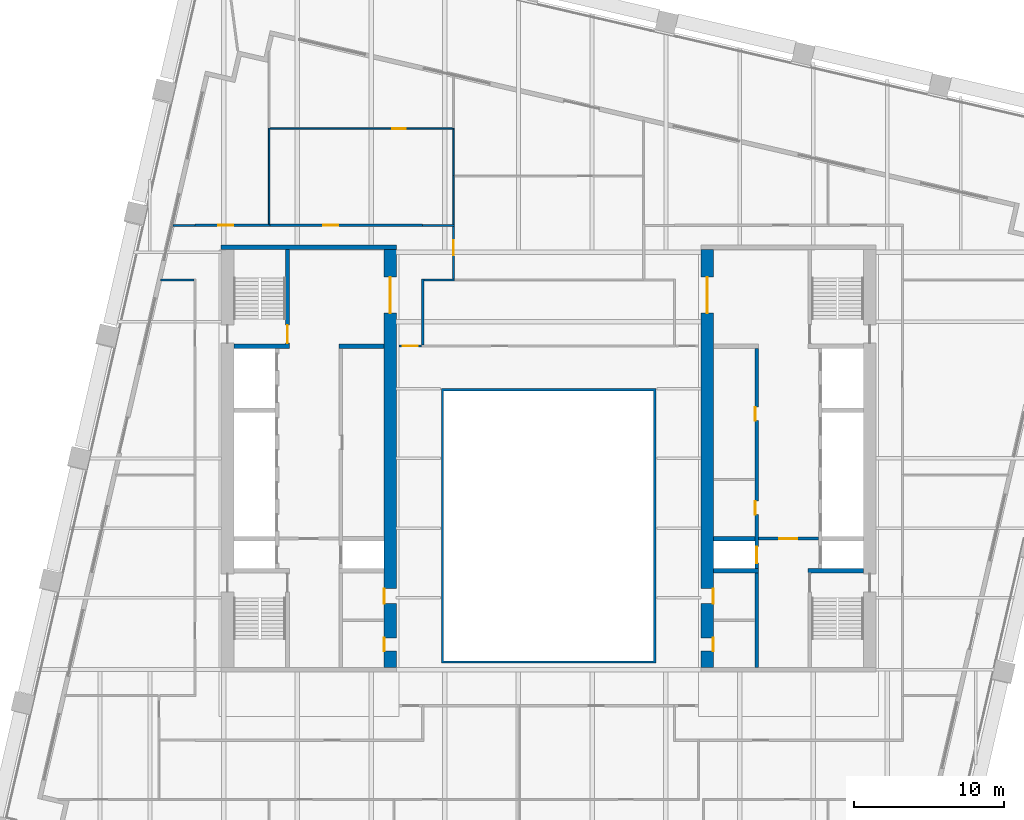
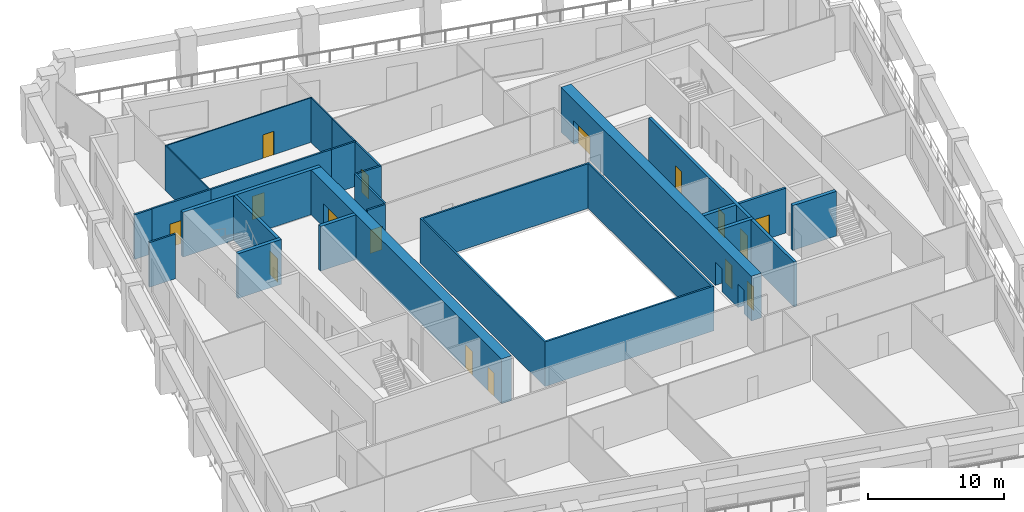
# One storey, part 6 of 10: 25 walls, 16 doors, 16 openings.
"""IFC4 building model written with IfcOpenShell, lengths in metres."""

import ifcopenshell
import ifcopenshell.guid

model = None  # the IFC model being written
_history = None  # IfcOwnerHistory: only IFC2X3 demands one
_inside = {}  # id of a spatial element -> (the spatial element, [elements in it])
_under = {}  # id of a project, library or spatial element -> (it, [spatial elements below it])
_declared = {}  # id of a project -> (the project, [libraries it declares])
_typed = {}  # id of a type object -> (the type object, [elements of that type])
_made_of = {}  # id of a material, layer set ... -> (it, [elements and type objects made of it])


def new_model(schema):
    """Start an empty IFC model of exactly this schema.

    Asked for "IFC4X3", IfcOpenShell would pick the latest addendum, in which some entities
    have other attributes; the version numbers below select the first issue.
    IFC2X3 requires an IfcOwnerHistory on every rooted entity: one is made here for all.
    """
    global model, _history
    if schema == "IFC4X3":
        model = ifcopenshell.file(schema_version=(4, 3, 0, 0))
    else:
        model = ifcopenshell.file(schema=schema)
    _inside.clear()
    _under.clear()
    _declared.clear()
    _typed.clear()
    _made_of.clear()
    _history = None
    if model.schema == "IFC2X3":
        org = make("IfcOrganization", Name="unknown")
        user = make(
            "IfcPersonAndOrganization",
            ThePerson=make("IfcPerson", FamilyName="unknown"),
            TheOrganization=org,
        )
        app = make(
            "IfcApplication",
            ApplicationDeveloper=org,
            Version="unknown",
            ApplicationFullName="unknown",
            ApplicationIdentifier="unknown",
        )
        _history = make(
            "IfcOwnerHistory",
            OwningUser=user,
            OwningApplication=app,
            ChangeAction="ADDED",
            CreationDate=0,
        )
    return model


def make(cls, **values):
    """One entity of the class cls with the attributes given. An attribute that is None is left unset."""
    return model.create_entity(
        cls, **{name: value for name, value in values.items() if value is not None}
    )


def rooted(cls, **values):
    """An entity with a GlobalId (a new one), such as an element, a storey or a relation."""
    return make(cls, GlobalId=ifcopenshell.guid.new(), OwnerHistory=_history, **values)


def si_unit(unit_type, name, prefix=None):
    """IfcSIUnit, for example si_unit("LENGTHUNIT", "METRE", prefix="MILLI")."""
    return make("IfcSIUnit", UnitType=unit_type, Prefix=prefix, Name=name)


def assignment(units):
    """IfcUnitAssignment: the units of a project."""
    return None if units is None else make("IfcUnitAssignment", Units=units)


def point(xyz):
    """IfcCartesianPoint."""
    return None if xyz is None else make("IfcCartesianPoint", Coordinates=xyz)


def direction(xyz):
    """IfcDirection."""
    return None if xyz is None else make("IfcDirection", DirectionRatios=xyz)


def frame(location, z_axis=None, x_axis=None):
    """IfcAxis2Placement3D, a coordinate frame: its origin and axes. An axis left out is left unset."""
    return make(
        "IfcAxis2Placement3D",
        Location=point(location),
        Axis=direction(z_axis),
        RefDirection=direction(x_axis),
    )


def frame_2d(location, x_axis=None):
    """IfcAxis2Placement2D, a coordinate frame in the plane: its origin and x axis."""
    return make(
        "IfcAxis2Placement2D", Location=point(location), RefDirection=direction(x_axis)
    )


def origin():
    """The frame at (0, 0, 0) with its axes left unset."""
    return frame((0.0, 0.0, 0.0))


def place(relative_to, where):
    """IfcLocalPlacement: puts the frame where relative to a parent placement (None: the world)."""
    return make(
        "IfcLocalPlacement", PlacementRelTo=relative_to, RelativePlacement=where
    )


def context(
    kind, dimensions, precision=None, world=None, true_north=None, identifier=None
):
    """IfcGeometricRepresentationContext, for example the 3D "Model" context."""
    return make(
        "IfcGeometricRepresentationContext",
        ContextIdentifier=identifier,
        ContextType=kind,
        CoordinateSpaceDimension=dimensions,
        Precision=precision,
        WorldCoordinateSystem=world,
        TrueNorth=true_north,
    )


def subcontext(parent, identifier, kind, view, scale=None):
    """IfcGeometricRepresentationSubContext, for example "Body" below "Model"."""
    return make(
        "IfcGeometricRepresentationSubContext",
        ContextIdentifier=identifier,
        ContextType=kind,
        ParentContext=parent,
        TargetScale=scale,
        TargetView=view,
    )


def project(units=None, contexts=None):
    """IfcProject with its units and contexts."""
    return rooted(
        "IfcProject",
        Name="project",
        RepresentationContexts=contexts,
        UnitsInContext=assignment(units),
    )


def spatial(cls, under=None, at=None, **own):
    """A site, building, storey or space (cls), placed at a placement, below another one or the project."""
    s = rooted(cls, ObjectPlacement=at, **own)
    if under is not None:
        _under.setdefault(under.id(), (under, []))[1].append(s)
    return s


def polyline(points):
    """IfcPolyline through the points."""
    return make("IfcPolyline", Points=[point(p) for p in points])


def profile(cls, at=None, kind="AREA", **sizes):
    """A parametric profile (cls). Its sizes go by their IFC names, for example OverallWidth=200.0."""
    return make(cls, ProfileType=kind, Position=at, **sizes)


def rectangle(**sizes):
    """IfcRectangleProfileDef."""
    return profile("IfcRectangleProfileDef", **sizes)


def outline(outer, holes=None, kind="AREA"):
    """IfcArbitraryClosedProfileDef: a profile drawn as a closed curve; with holes, ...WithVoids."""
    if holes is None:
        return make("IfcArbitraryClosedProfileDef", ProfileType=kind, OuterCurve=outer)
    return make(
        "IfcArbitraryProfileDefWithVoids",
        ProfileType=kind,
        OuterCurve=outer,
        InnerCurves=holes,
    )


def extrude(swept, where, along, depth):
    """IfcExtrudedAreaSolid: the profile swept, set in the frame where, extruded along a direction by depth."""
    return make(
        "IfcExtrudedAreaSolid",
        SweptArea=swept,
        Position=where,
        ExtrudedDirection=direction(along),
        Depth=depth,
    )


def shape(context_of_items, identifier, shape_type, items):
    """IfcShapeRepresentation: the items that make up one representation, for example the "Body"."""
    return make(
        "IfcShapeRepresentation",
        ContextOfItems=context_of_items,
        RepresentationIdentifier=identifier,
        RepresentationType=shape_type,
        Items=items,
    )


def material(Name=None, Category=None):
    """IfcMaterial."""
    return make("IfcMaterial", Name=Name, Category=Category)


def layer(
    of_material, thickness, ventilated=None, Name=None, Category=None, Priority=None
):
    """IfcMaterialLayer: one layer of a wall or slab, of a material (None: an air gap)."""
    return make(
        "IfcMaterialLayer",
        Material=of_material,
        LayerThickness=thickness,
        IsVentilated=ventilated,
        Name=Name,
        Category=Category,
        Priority=Priority,
    )


def layer_set(layers, Name=None):
    """IfcMaterialLayerSet."""
    return make("IfcMaterialLayerSet", MaterialLayers=layers, LayerSetName=Name)


def made_of(thing, what):
    """Note that an element or type object is made of a material, layer set ...; save() writes the relation."""
    if what is not None:
        _made_of.setdefault(what.id(), (what, []))[1].append(thing)
    return thing


def type_object(cls, material=None, **own):
    """A type object (cls), such as IfcWallType, which elements share."""
    return made_of(rooted(cls, **own), material)


def element(
    cls,
    number,
    at=None,
    inside=None,
    cuts=None,
    type_object=None,
    material=None,
    context=None,
    identifier="Body",
    shape_type=None,
    held_by="IfcProductDefinitionShape",
    body=None,
    shapes=None,
    **own,
):
    """One element of the class cls, such as IfcWall. Its Tag is "e" and its number.

    at: its placement. inside: the storey or other place that contains it. cuts: it is an
    opening in that element (IfcRelVoidsElement). A single representation is given by context,
    identifier, shape_type and body (its items); several are given by shapes. held_by: the class
    of the entity that holds the representations. save() writes the other relations.
    """
    e = rooted(cls, Tag="e%d" % number, ObjectPlacement=at, **own)
    if body is not None:
        shapes = [shape(context, identifier, shape_type, body)]
    if shapes is not None:
        e.Representation = make(held_by, Representations=shapes)
    if inside is not None:
        _inside.setdefault(inside.id(), (inside, []))[1].append(e)
    if cuts is not None:
        rooted(
            "IfcRelVoidsElement", RelatingBuildingElement=cuts, RelatedOpeningElement=e
        )
    if type_object is not None:
        _typed.setdefault(type_object.id(), (type_object, []))[1].append(e)
    return made_of(e, material)


def fill(opening, filler):
    """IfcRelFillsElement: the door or window that sits in an opening."""
    return rooted(
        "IfcRelFillsElement",
        RelatingOpeningElement=opening,
        RelatedBuildingElement=filler,
    )


def aggregate(whole, parts):
    """IfcRelAggregates: a whole, such as a stair, and the parts it consists of."""
    return rooted("IfcRelAggregates", RelatingObject=whole, RelatedObjects=parts)


def save(model, path):
    """Write the relations noted so far, then the file.

    IfcRelAggregates (storeys below a building ...), IfcRelContainedInSpatialStructure (elements
    in a storey), IfcRelDefinesByType, IfcRelAssociatesMaterial and IfcRelDeclares: one each for
    every whole, place, type object, material and project.
    """
    for whole, parts in _under.values():
        aggregate(whole, parts)
    for where, things in _inside.values():
        rooted(
            "IfcRelContainedInSpatialStructure",
            RelatedElements=things,
            RelatingStructure=where,
        )
    for kind, things in _typed.values():
        rooted("IfcRelDefinesByType", RelatedObjects=things, RelatingType=kind)
    for what, things in _made_of.values():
        rooted("IfcRelAssociatesMaterial", RelatedObjects=things, RelatingMaterial=what)
    for by, libraries in _declared.values():
        rooted("IfcRelDeclares", RelatingContext=by, RelatedDefinitions=libraries)
    model.write(path)


model = new_model("IFC4")

# Units and contexts
model_context = context("Model", 3, precision=1e-05, world=origin(), true_north=direction((0.0, 1.0)))
body_context = subcontext(model_context, "Body", "Model", "MODEL_VIEW")
ifc_project = project(units=[si_unit("LENGTHUNIT", "METRE"), si_unit("AREAUNIT", "SQUARE_METRE"), si_unit("VOLUMEUNIT", "CUBIC_METRE"), si_unit("PLANEANGLEUNIT", "RADIAN"), si_unit("MASSUNIT", "GRAM", prefix="KILO")], contexts=[model_context])

# Site, building, storey
site_placement = place(None, origin())
site = spatial("IfcSite", under=ifc_project, at=site_placement, CompositionType="ELEMENT")
building_placement = place(site_placement, origin())
building = spatial("IfcBuilding", under=site, at=building_placement, Name="Ogive Exchange Tower", CompositionType="ELEMENT")
storey_placement = place(building_placement, frame((0.0, 0.0, 143.39990234375)))
storey = spatial("IfcBuildingStorey", under=building, at=storey_placement, Name="L31", CompositionType="ELEMENT", Elevation=143.39990234375)

# Walls
ifc_material_1 = material(Name="Gypsum board partition")
ifc_layer_1 = layer(ifc_material_1, 0.300048828125)
ifc_layer_set_1 = layer_set([ifc_layer_1], Name="Core room partition 300 gypsum")
wall_type_1 = type_object("IfcWallType", Name="Core room partition 300 gypsum", PredefinedType="PARTITIONING", material=ifc_layer_set_1)
wall_1_placement = place(storey_placement, frame((-14.0, 19.0, 0.0), z_axis=(0.0, 0.0, 1.0), x_axis=(1.0, 0.0, 0.0)))
element("IfcWall", 1, at=wall_1_placement, inside=storey, type_object=wall_type_1, Name="W row B room end wall 7", PredefinedType="PARTITIONING", context=body_context, shape_type="SweptSolid", body=[
    extrude(rectangle(XDim=3.0, YDim=0.300048828125, at=frame_2d((1.5, 0.0))), origin(), (0.0, 0.0, 1.0), 4.0),
])
ifc_material_2 = material(Name="Fire partition EI 60 150")
ifc_layer_2 = layer(ifc_material_2, 0.14990234375)
ifc_layer_set_2 = layer_set([ifc_layer_2], Name="Fire partition EI 60 150")
wall_type_2 = type_object("IfcWallType", Name="Fire partition EI 60 150", PredefinedType="PARTITIONING", material=ifc_layer_set_2)
wall_2_placement = place(storey_placement, frame((-25.052001953125, 27.0400390625, 0.0), z_axis=(0.0, 0.0, 1.0), x_axis=(1.0, 0.0, 0.0)))
element("IfcWall", 2, at=wall_2_placement, inside=storey, type_object=wall_type_2, Name="L31-PWL-006", PredefinedType="PARTITIONING", context=body_context, shape_type="SweptSolid", body=[
    extrude(rectangle(XDim=1.451904296875, YDim=0.14990234375, at=frame_2d((0.72607421875, 0.0))), origin(), (0.0, 0.0, 1.0), 4.0),
])
wall_3_placement = place(storey_placement, frame((-23.675048828125, 23.409912109375, 0.0), z_axis=(0.0, 0.0, 1.0), x_axis=(-1.0, 0.0, 0.0)))
element("IfcWall", 3, at=wall_3_placement, inside=storey, type_object=wall_type_2, Name="L31-PWL-011", PredefinedType="PARTITIONING", context=body_context, shape_type="SweptSolid", body=[
    extrude(rectangle(XDim=2.21484375, YDim=0.14990234375, at=frame_2d((1.107421875, 0.0))), origin(), (0.0, 0.0, 1.0), 4.0),
])

# Wall, opening, door
wall_4_placement = place(storey_placement, frame((-23.60009765625, 27.050048828125, 0.0), z_axis=(0.0, 0.0, 1.0), x_axis=(1.0, 0.0, 0.0)))
wall_4 = element("IfcWall", 4, at=wall_4_placement, inside=storey, type_object=wall_type_2, Name="L31-PWL-012", PredefinedType="PARTITIONING", context=body_context, shape_type="SweptSolid", body=[
    extrude(rectangle(XDim=5.0, YDim=0.14990234375, at=frame_2d((2.5, 0.0))), origin(), (0.0, 0.0, 1.0), 4.0),
])
opening_1_placement = place(wall_4_placement, frame((1.550048828125, 0.0, 0.0)))
opening_1 = element("IfcOpeningElement", 5, at=opening_1_placement, cuts=wall_4, Name="Opening L31-I10", PredefinedType="OPENING", context=body_context, shape_type="SweptSolid", body=[
    extrude(rectangle(XDim=1.0, YDim=2.10009765625, at=frame_2d((0.5, 1.050048828125))), frame((0.0, 0.0849609375, 0.0), z_axis=(0.0, -1.0, 0.0), x_axis=(1.0, 0.0, 0.0)), (0.0, 0.0, 1.0), 0.169921875),
])
ifc_material_3 = material(Name="Fire door FD 30S 1000 x 2100")
door_type_1 = type_object("IfcDoorType", Name="Fire door FD 30S 1000 x 2100", OperationType="NOTDEFINED", PredefinedType="DOOR", material=ifc_material_3)
door_1_placement = place(opening_1_placement, origin())
door_1 = element("IfcDoor", 6, at=door_1_placement, inside=storey, type_object=door_type_1, Name="L31-IDR-010", ObjectType="DT3", OperationType="SINGLE_SWING_LEFT", OverallHeight=2.10009765625, OverallWidth=1.0, PredefinedType="DOOR", context=body_context, shape_type="SweptSolid", body=[
    extrude(rectangle(XDim=1.0, YDim=2.10009765625, at=frame_2d((0.5, 1.050048828125))), frame((0.0, 0.02490234375, 0.0), z_axis=(0.0, -1.0, 0.0), x_axis=(1.0, 0.0, 0.0)), (0.0, 0.0, 1.0), 0.050048828125),
])
fill(opening_1, door_1)

wall_5_placement = place(storey_placement, frame((-18.64990234375, 27.050048828125, 0.0), z_axis=(0.0, 0.0, 1.0), x_axis=(1.0, 0.0, 0.0)))
wall_5 = element("IfcWall", 7, at=wall_5_placement, inside=storey, type_object=wall_type_2, Name="L31-PWL-016", PredefinedType="PARTITIONING", context=body_context, shape_type="SweptSolid", body=[
    extrude(rectangle(XDim=10.25, YDim=0.14990234375, at=frame_2d((5.125, 0.0))), origin(), (0.0, 0.0, 1.0), 4.0),
])
opening_2_placement = place(wall_5_placement, frame((3.60009765625, 0.0, 0.0)))
opening_2 = element("IfcOpeningElement", 8, at=opening_2_placement, cuts=wall_5, Name="Opening L31-I08", PredefinedType="OPENING", context=body_context, shape_type="SweptSolid", body=[
    extrude(rectangle(XDim=1.0, YDim=2.10009765625, at=frame_2d((0.5, 1.050048828125))), frame((0.0, 0.0849609375, 0.0), z_axis=(0.0, -1.0, 0.0), x_axis=(1.0, 0.0, 0.0)), (0.0, 0.0, 1.0), 0.169921875),
])
door_2_placement = place(opening_2_placement, origin())
door_2 = element("IfcDoor", 9, at=door_2_placement, inside=storey, type_object=door_type_1, Name="L31-IDR-008", ObjectType="DT3", OperationType="SINGLE_SWING_RIGHT", OverallHeight=2.10009765625, OverallWidth=1.0, PredefinedType="DOOR", context=body_context, shape_type="SweptSolid", body=[
    extrude(rectangle(XDim=1.0, YDim=2.10009765625, at=frame_2d((0.5, 1.050048828125))), frame((0.0, 0.02490234375, 0.0), z_axis=(0.0, -1.0, 0.0), x_axis=(1.0, 0.0, 0.0)), (0.0, 0.0, 1.0), 0.050048828125),
])
fill(opening_2, door_2)

# Walls
wall_6_placement = place(storey_placement, frame((-8.39990234375, 23.485107421875, 0.0), z_axis=(0.0, 0.0, 1.0), x_axis=(0.0, -1.0, 0.0)))
element("IfcWall", 10, at=wall_6_placement, inside=storey, type_object=wall_type_2, Name="L31-PWL-024", PredefinedType="PARTITIONING", context=body_context, shape_type="SweptSolid", body=[
    extrude(rectangle(XDim=4.41015625, YDim=0.14990234375, at=frame_2d((2.205078125, 0.0))), origin(), (0.0, 0.0, 1.0), 4.0),
])
wall_7_placement = place(storey_placement, frame((-8.39990234375, 27.0400390625, 0.0), z_axis=(0.0, 0.0, 1.0), x_axis=(1.0, 0.0, 0.0)))
element("IfcWall", 11, at=wall_7_placement, inside=storey, type_object=wall_type_2, Name="L31-PWL-025", PredefinedType="PARTITIONING", context=body_context, shape_type="SweptSolid", body=[
    extrude(rectangle(XDim=2.135009765625, YDim=0.14990234375, at=frame_2d((1.0673828125, 0.0))), origin(), (0.0, 0.0, 1.0), 4.0),
])
wall_8_placement = place(storey_placement, frame((-6.264892578125, 23.409912109375, 0.0), z_axis=(0.0, 0.0, 1.0), x_axis=(-1.0, 0.0, 0.0)))
element("IfcWall", 12, at=wall_8_placement, inside=storey, type_object=wall_type_2, Name="L31-PWL-026", PredefinedType="PARTITIONING", context=body_context, shape_type="SweptSolid", body=[
    extrude(rectangle(XDim=2.06005859375, YDim=0.14990234375, at=frame_2d((1.030029296875, 0.0))), origin(), (0.0, 0.0, 1.0), 4.0),
])

# Wall, opening, door
wall_9_placement = place(storey_placement, frame((-6.340087890625, 26.965087890625, 0.0), z_axis=(0.0, 0.0, 1.0), x_axis=(0.0, -1.0, 0.0)))
wall_9 = element("IfcWall", 13, at=wall_9_placement, inside=storey, type_object=wall_type_2, Name="L31-PWL-028", PredefinedType="PARTITIONING", context=body_context, shape_type="SweptSolid", body=[
    extrude(rectangle(XDim=3.47998046875, YDim=0.14990234375, at=frame_2d((1.739990234375, 0.0))), origin(), (0.0, 0.0, 1.0), 4.0),
])
opening_3_placement = place(wall_9_placement, frame((0.905029296875, 0.0, 0.0)))
opening_3 = element("IfcOpeningElement", 14, at=opening_3_placement, cuts=wall_9, Name="Opening L31-I06", PredefinedType="OPENING", context=body_context, shape_type="SweptSolid", body=[
    extrude(rectangle(XDim=1.0, YDim=2.10009765625, at=frame_2d((0.5, 1.050048828125))), frame((0.0, 0.0849609375, 0.0), z_axis=(0.0, -1.0, 0.0), x_axis=(1.0, 0.0, 0.0)), (0.0, 0.0, 1.0), 0.169921875),
])
door_3_placement = place(opening_3_placement, origin())
door_3 = element("IfcDoor", 15, at=door_3_placement, inside=storey, type_object=door_type_1, Name="L31-IDR-006", ObjectType="DT3", OperationType="SINGLE_SWING_LEFT", OverallHeight=2.10009765625, OverallWidth=1.0, PredefinedType="DOOR", context=body_context, shape_type="SweptSolid", body=[
    extrude(rectangle(XDim=1.0, YDim=2.10009765625, at=frame_2d((0.5, 1.050048828125))), frame((0.0, 0.02490234375, 0.0), z_axis=(0.0, -1.0, 0.0), x_axis=(1.0, 0.0, 0.0)), (0.0, 0.0, 1.0), 0.050048828125),
])
fill(opening_3, door_3)

wall_10_placement = place(storey_placement, frame((-10.0, 19.0, 0.0), z_axis=(0.0, 0.0, 1.0), x_axis=(1.0, 0.0, 0.0)))
wall_10 = element("IfcWall", 16, at=wall_10_placement, inside=storey, type_object=wall_type_2, Name="L31-PWL-064", PredefinedType="PARTITIONING", context=body_context, shape_type="SweptSolid", body=[
    extrude(rectangle(XDim=1.514892578125, YDim=0.14990234375, at=frame_2d((0.75732421875, 0.0))), origin(), (0.0, 0.0, 1.0), 4.0),
])
opening_4_placement = place(wall_10_placement, frame((0.258056640625, 0.0, 0.0)))
opening_4 = element("IfcOpeningElement", 17, at=opening_4_placement, cuts=wall_10, Name="Opening L31-I23", PredefinedType="OPENING", context=body_context, shape_type="SweptSolid", body=[
    extrude(rectangle(XDim=1.0, YDim=2.10009765625, at=frame_2d((0.5, 1.050048828125))), frame((0.0, 0.0849609375, 0.0), z_axis=(0.0, -1.0, 0.0), x_axis=(1.0, 0.0, 0.0)), (0.0, 0.0, 1.0), 0.169921875),
])
door_4_placement = place(opening_4_placement, origin())
door_4 = element("IfcDoor", 18, at=door_4_placement, inside=storey, type_object=door_type_1, Name="L31-IDR-023", ObjectType="DT3", OperationType="SINGLE_SWING_LEFT", OverallHeight=2.10009765625, OverallWidth=1.0, PredefinedType="DOOR", context=body_context, shape_type="SweptSolid", body=[
    extrude(rectangle(XDim=1.0, YDim=2.10009765625, at=frame_2d((0.5, 1.050048828125))), frame((0.0, 0.02490234375, 0.0), z_axis=(0.0, -1.0, 0.0), x_axis=(1.0, 0.0, 0.0)), (0.0, 0.0, 1.0), 0.050048828125),
])
fill(opening_4, door_4)

# Walls
ifc_material_4 = material(Name="Fire-resisting glass in steel frame", Category="steel")
ifc_layer_3 = layer(ifc_material_4, 0.14990234375)
ifc_layer_set_3 = layer_set([ifc_layer_3], Name="Fire-rated glazed wall 150")
wall_type_3 = type_object("IfcWallType", Name="Fire-rated glazed wall 150", PredefinedType="STANDARD", material=ifc_layer_set_3)
wall_11_placement = place(storey_placement, origin())
element("IfcWall", 19, at=wall_11_placement, inside=storey, type_object=wall_type_3, Name="Nave enclosure wall", PredefinedType="STANDARD", context=body_context, shape_type="SweptSolid", body=[
    extrude(outline(polyline([(-7.14990234375, -2.14990234375), (7.14990234375, -2.14990234375), (7.14990234375, 16.14990234375), (-7.14990234375, 16.14990234375), (-7.14990234375, -2.14990234375)]), holes=[polyline([(-7.0, -2.0), (-7.0, 16.0), (7.0, 16.0), (7.0, -2.0), (-7.0, -2.0)])]), origin(), (0.0, 0.0, 1.0), 4.0),
])
ifc_material_5 = material(Name="Partition 100 gypsum")
ifc_layer_4 = layer(ifc_material_5, 0.10009765625)
ifc_layer_set_4 = layer_set([ifc_layer_4], Name="Partition 100 gypsum")
wall_type_4 = type_object("IfcWallType", Name="Partition 100 gypsum", PredefinedType="PARTITIONING", material=ifc_layer_set_4)
wall_12_placement = place(storey_placement, frame((-18.64990234375, 27.125, 0.0), z_axis=(0.0, 0.0, 1.0), x_axis=(0.0, 1.0, 0.0)))
element("IfcWall", 20, at=wall_12_placement, inside=storey, type_object=wall_type_4, Name="L31-PWL-015", PredefinedType="PARTITIONING", context=body_context, shape_type="SweptSolid", body=[
    extrude(rectangle(XDim=6.425048828125, YDim=0.10009765625, at=frame_2d((3.21240234375, 0.0))), origin(), (0.0, 0.0, 1.0), 4.0),
])

# Wall, opening, door
wall_13_placement = place(storey_placement, frame((-18.60009765625, 33.5, 0.0), z_axis=(0.0, 0.0, 1.0), x_axis=(1.0, 0.0, 0.0)))
wall_13 = element("IfcWall", 21, at=wall_13_placement, inside=storey, type_object=wall_type_4, Name="L31-PWL-018", PredefinedType="PARTITIONING", context=body_context, shape_type="SweptSolid", body=[
    extrude(rectangle(XDim=12.31005859375, YDim=0.10009765625, at=frame_2d((6.155029296875, 0.0))), origin(), (0.0, 0.0, 1.0), 4.0),
])
opening_5_placement = place(wall_13_placement, frame((8.159912109375, 0.0, 0.0)))
opening_5 = element("IfcOpeningElement", 22, at=opening_5_placement, cuts=wall_13, Name="Opening L31-I09", PredefinedType="OPENING", context=body_context, shape_type="SweptSolid", body=[
    extrude(rectangle(XDim=0.89990234375, YDim=2.10009765625, at=frame_2d((0.449951171875, 1.050048828125))), frame((0.0, 0.06005859375, 0.0), z_axis=(0.0, -1.0, 0.0), x_axis=(1.0, 0.0, 0.0)), (0.0, 0.0, 1.0), 0.1201171875),
])
ifc_material_6 = material(Name="Door 900 x 2100")
door_type_2 = type_object("IfcDoorType", Name="Door 900 x 2100", OperationType="NOTDEFINED", PredefinedType="DOOR", material=ifc_material_6)
door_5_placement = place(opening_5_placement, origin())
door_5 = element("IfcDoor", 23, at=door_5_placement, inside=storey, type_object=door_type_2, Name="L31-IDR-009", ObjectType="DT1", OperationType="SINGLE_SWING_LEFT", OverallHeight=2.10009765625, OverallWidth=0.89990234375, PredefinedType="DOOR", context=body_context, shape_type="SweptSolid", body=[
    extrude(rectangle(XDim=0.89990234375, YDim=2.10009765625, at=frame_2d((0.449951171875, 1.050048828125))), frame((0.0, 0.02490234375, 0.0), z_axis=(0.0, -1.0, 0.0), x_axis=(1.0, 0.0, 0.0)), (0.0, 0.0, 1.0), 0.050048828125),
])
fill(opening_5, door_5)

# Walls
wall_14_placement = place(storey_placement, frame((-6.340087890625, 27.114990234375, 0.0), z_axis=(0.0, 0.0, 1.0), x_axis=(0.0, 1.0, 0.0)))
element("IfcWall", 24, at=wall_14_placement, inside=storey, type_object=wall_type_4, Name="L31-PWL-029", PredefinedType="PARTITIONING", context=body_context, shape_type="SweptSolid", body=[
    extrude(rectangle(XDim=3.27490234375, YDim=0.10009765625, at=frame_2d((1.637451171875, 0.0))), origin(), (0.0, 0.0, 1.0), 4.0),
])
wall_15_placement = place(storey_placement, frame((-6.340087890625, 30.389892578125, 0.0), z_axis=(0.0, 0.0, 1.0), x_axis=(0.0, 1.0, 0.0)))
element("IfcWall", 25, at=wall_15_placement, inside=storey, type_object=wall_type_4, Name="L31-PWL-030", PredefinedType="PARTITIONING", context=body_context, shape_type="SweptSolid", body=[
    extrude(rectangle(XDim=3.06005859375, YDim=0.10009765625, at=frame_2d((1.530029296875, 0.0))), origin(), (0.0, 0.0, 1.0), 4.0),
])

# Wall, opening, door
ifc_material_7 = material(Name="Concrete C70/85", Category="concrete")
ifc_layer_5 = layer(ifc_material_7, 0.199951171875)
ifc_layer_set_5 = layer_set([ifc_layer_5], Name="RC core wall 200 C70/85")
wall_type_5 = type_object("IfcWallType", Name="RC core wall 200 C70/85", PredefinedType="SHEAR", material=ifc_layer_set_5)
wall_16_placement = place(storey_placement, frame((14.0, 6.142822265625, 0.0), z_axis=(0.0, 0.0, 1.0), x_axis=(1.0, 0.0, 0.0)))
wall_16 = element("IfcWall", 26, at=wall_16_placement, inside=storey, type_object=wall_type_5, Name="E firefighting lobby wall", PredefinedType="SHEAR", context=body_context, shape_type="SweptSolid", body=[
    extrude(rectangle(XDim=4.0, YDim=0.199951171875, at=frame_2d((2.0, 0.0))), origin(), (0.0, 0.0, 1.0), 4.0),
])
opening_6_placement = place(wall_16_placement, frame((1.39990234375, 0.0, 0.0)))
opening_6 = element("IfcOpeningElement", 27, at=opening_6_placement, cuts=wall_16, Name="Opening L31-C28", PredefinedType="OPENING", context=body_context, shape_type="SweptSolid", body=[
    extrude(rectangle(XDim=1.199951171875, YDim=2.10009765625, at=frame_2d((0.60009765625, 1.050048828125))), frame((0.0, 0.10986328125, 0.0), z_axis=(0.0, -1.0, 0.0), x_axis=(1.0, 0.0, 0.0)), (0.0, 0.0, 1.0), 0.219970703125),
])
ifc_material_8 = material(Name="Steel fire door", Category="steel")
door_type_3 = type_object("IfcDoorType", Name="Firefighting lobby door FD60 1200 x 2100", OperationType="NOTDEFINED", PredefinedType="DOOR", material=ifc_material_8)
door_6_placement = place(opening_6_placement, frame((1.199951171875, 0.0, 0.0), z_axis=(0.0, 0.0, 1.0), x_axis=(-1.0, 0.0, 0.0)))
door_6 = element("IfcDoor", 28, at=door_6_placement, inside=storey, type_object=door_type_3, Name="Firefighting lobby door", ObjectType="CD3", OperationType="SINGLE_SWING_RIGHT", OverallHeight=2.10009765625, OverallWidth=1.199951171875, PredefinedType="DOOR", context=body_context, shape_type="SweptSolid", body=[
    extrude(rectangle(XDim=1.199951171875, YDim=2.10009765625, at=frame_2d((0.60009765625, 1.050048828125))), frame((0.0, 0.02490234375, 0.0), z_axis=(0.0, -1.0, 0.0), x_axis=(1.0, 0.0, 0.0)), (0.0, 0.0, 1.0), 0.050048828125),
])
fill(opening_6, door_6)

ifc_layer_6 = layer(ifc_material_7, 0.25)
ifc_layer_set_6 = layer_set([ifc_layer_6], Name="RC core wall 250 C70/85")
wall_type_6 = type_object("IfcWallType", Name="RC core wall 250 C70/85", PredefinedType="SHEAR", material=ifc_layer_set_6)
wall_17_placement = place(storey_placement, frame((-17.425048828125, 19.14990234375, 0.0), z_axis=(0.0, 0.0, 1.0), x_axis=(0.0, 1.0, 0.0)))
wall_17 = element("IfcWall", 29, at=wall_17_placement, inside=storey, type_object=wall_type_6, Name="W stair N front wall", PredefinedType="SHEAR", context=body_context, shape_type="SweptSolid", body=[
    extrude(rectangle(XDim=6.300048828125, YDim=0.25, at=frame_2d((3.14990234375, 0.0))), origin(), (0.0, 0.0, 1.0), 4.0),
])
opening_7_placement = place(wall_17_placement, frame((0.050048828125, 0.0, 0.0)))
opening_7 = element("IfcOpeningElement", 30, at=opening_7_placement, cuts=wall_17, Name="Opening L31-C14", PredefinedType="OPENING", context=body_context, shape_type="SweptSolid", body=[
    extrude(rectangle(XDim=1.199951171875, YDim=2.10009765625, at=frame_2d((0.60009765625, 1.050048828125))), frame((0.0, 0.135009765625, 0.0), z_axis=(0.0, -1.0, 0.0), x_axis=(1.0, 0.0, 0.0)), (0.0, 0.0, 1.0), 0.27001953125),
])
door_type_4 = type_object("IfcDoorType", Name="Stair door FD90 1200 x 2100", OperationType="NOTDEFINED", PredefinedType="DOOR", material=ifc_material_8)
door_7_placement = place(opening_7_placement, origin())
door_7 = element("IfcDoor", 31, at=door_7_placement, inside=storey, type_object=door_type_4, Name="Stair door", ObjectType="CD5", OperationType="SINGLE_SWING_RIGHT", OverallHeight=2.10009765625, OverallWidth=1.199951171875, PredefinedType="DOOR", context=body_context, shape_type="SweptSolid", body=[
    extrude(rectangle(XDim=1.199951171875, YDim=2.10009765625, at=frame_2d((0.60009765625, 1.050048828125))), frame((0.0, 0.02490234375, 0.0), z_axis=(0.0, -1.0, 0.0), x_axis=(1.0, 0.0, 0.0)), (0.0, 0.0, 1.0), 0.050048828125),
])
fill(opening_7, door_7)

# Wall, openings, doors
wall_18_placement = place(storey_placement, frame((13.875, -2.449951171875, 0.0), z_axis=(0.0, 0.0, 1.0), x_axis=(0.0, 1.0, 0.0)))
wall_18 = element("IfcWall", 32, at=wall_18_placement, inside=storey, type_object=wall_type_6, Name="E row B front wall", PredefinedType="SHEAR", context=body_context, shape_type="SweptSolid", body=[
    extrude(rectangle(XDim=21.300048828125, YDim=0.25, at=frame_2d((10.64990234375, 0.0))), origin(), (0.0, 0.0, 1.0), 4.0),
])
opening_8_placement = place(wall_18_placement, frame((10.1962890625, 0.0, 0.0)))
opening_8 = element("IfcOpeningElement", 33, at=opening_8_placement, cuts=wall_18, Name="Opening L31-C25", PredefinedType="OPENING", context=body_context, shape_type="SweptSolid", body=[
    extrude(rectangle(XDim=0.89990234375, YDim=2.10009765625, at=frame_2d((0.449951171875, 1.050048828125))), frame((0.0, 0.135009765625, 0.0), z_axis=(0.0, -1.0, 0.0), x_axis=(1.0, 0.0, 0.0)), (0.0, 0.0, 1.0), 0.27001953125),
])
opening_9_placement = place(wall_18_placement, frame((16.47509765625, 0.0, 0.0)))
opening_9 = element("IfcOpeningElement", 34, at=opening_9_placement, cuts=wall_18, Name="Opening L31-C26", PredefinedType="OPENING", context=body_context, shape_type="SweptSolid", body=[
    extrude(rectangle(XDim=0.89990234375, YDim=2.10009765625, at=frame_2d((0.449951171875, 1.050048828125))), frame((0.0, 0.135009765625, 0.0), z_axis=(0.0, -1.0, 0.0), x_axis=(1.0, 0.0, 0.0)), (0.0, 0.0, 1.0), 0.27001953125),
])
opening_10_placement = place(wall_18_placement, frame((6.971435546875, 0.0, 0.0)))
opening_10 = element("IfcOpeningElement", 35, at=opening_10_placement, cuts=wall_18, Name="Opening L31-C27", PredefinedType="OPENING", context=body_context, shape_type="SweptSolid", body=[
    extrude(rectangle(XDim=1.10009765625, YDim=2.10009765625, at=frame_2d((0.550048828125, 1.050048828125))), frame((0.0, 0.135009765625, 0.0), z_axis=(0.0, -1.0, 0.0), x_axis=(1.0, 0.0, 0.0)), (0.0, 0.0, 1.0), 0.27001953125),
])
ifc_material_9 = material(Name="Timber fire door", Category="wood")
door_type_5 = type_object("IfcDoorType", Name="Core room door FD30S 900 x 2100", OperationType="NOTDEFINED", PredefinedType="DOOR", material=ifc_material_9)
door_8_placement = place(opening_9_placement, origin())
door_8 = element("IfcDoor", 36, at=door_8_placement, inside=storey, type_object=door_type_5, Name="Core room door", ObjectType="CD6", OperationType="SINGLE_SWING_RIGHT", OverallHeight=2.10009765625, OverallWidth=0.89990234375, PredefinedType="DOOR", context=body_context, shape_type="SweptSolid", body=[
    extrude(rectangle(XDim=0.89990234375, YDim=2.10009765625, at=frame_2d((0.449951171875, 1.050048828125))), frame((0.0, 0.125, 0.0), z_axis=(0.0, -1.0, 0.0), x_axis=(1.0, 0.0, 0.0)), (0.0, 0.0, 1.0), 0.050048828125),
])
fill(opening_9, door_8)
ifc_material_10 = material(Name="Stainless steel", Category="steel")
door_type_6 = type_object("IfcDoorType", Name="Lift landing door FD90 1100 x 2100", OperationType="SLIDING_TO_LEFT", PredefinedType="DOOR", material=ifc_material_10)
door_9_placement = place(opening_10_placement, origin())
door_9 = element("IfcDoor", 37, at=door_9_placement, inside=storey, type_object=door_type_6, Name="Lift landing door SV2", ObjectType="LD", OperationType="SLIDING_TO_LEFT", OverallHeight=2.10009765625, OverallWidth=1.10009765625, PredefinedType="DOOR", context=body_context, shape_type="SweptSolid", body=[
    extrude(rectangle(XDim=1.10009765625, YDim=2.10009765625, at=frame_2d((0.550048828125, 1.050048828125))), frame((0.0, 0.02490234375, 0.0), z_axis=(0.0, -1.0, 0.0), x_axis=(1.0, 0.0, 0.0)), (0.0, 0.0, 1.0), 0.050048828125),
])
fill(opening_10, door_9)
door_type_7 = type_object("IfcDoorType", Name="Riser door FD60 900 x 2100", OperationType="NOTDEFINED", PredefinedType="DOOR", material=ifc_material_8)
door_10_placement = place(opening_8_placement, origin())
door_10 = element("IfcDoor", 38, at=door_10_placement, inside=storey, type_object=door_type_7, Name="Riser door", ObjectType="CD2", OperationType="SINGLE_SWING_RIGHT", OverallHeight=2.10009765625, OverallWidth=0.89990234375, PredefinedType="DOOR", context=body_context, shape_type="SweptSolid", body=[
    extrude(rectangle(XDim=0.89990234375, YDim=2.10009765625, at=frame_2d((0.449951171875, 1.050048828125))), frame((0.0, 0.125, 0.0), z_axis=(0.0, -1.0, 0.0), x_axis=(1.0, 0.0, 0.0)), (0.0, 0.0, 1.0), 0.050048828125),
])
fill(opening_8, door_10)

# Walls
ifc_layer_7 = layer(ifc_material_7, 0.300048828125)
ifc_layer_set_7 = layer_set([ifc_layer_7], Name="RC core wall 300 C70/85")
wall_type_7 = type_object("IfcWallType", Name="RC core wall 300 C70/85", PredefinedType="SHEAR", material=ifc_layer_set_7)
wall_19_placement = place(storey_placement, frame((-21.85009765625, 25.60009765625, 0.0), z_axis=(0.0, 0.0, 1.0), x_axis=(1.0, 0.0, 0.0)))
element("IfcWall", 39, at=wall_19_placement, inside=storey, type_object=wall_type_7, Name="W north end wall", PredefinedType="SHEAR", context=body_context, shape_type="SweptSolid", body=[
    extrude(rectangle(XDim=11.7001953125, YDim=0.300048828125, at=frame_2d((5.85009765625, 0.0))), origin(), (0.0, 0.0, 1.0), 4.0),
])
for number, where, z_axis, x_axis, name in (
    (40, (-21.0, 19.0, 0.0), (0.0, 0.0, 1.0), (1.0, 0.0, 0.0), "W stair N south wall"),
    (41, (17.300048828125, 4.0, 0.0), (0.0, 0.0, 1.0), (1.0, 0.0, 0.0), "E stair S north wall"),
):
    element("IfcWall", number, at=place(storey_placement, frame(where, z_axis=z_axis, x_axis=x_axis)), inside=storey, type_object=wall_type_7, Name=name, PredefinedType="SHEAR", context=body_context, shape_type="SweptSolid", body=[
        extrude(rectangle(XDim=3.699951171875, YDim=0.300048828125, at=frame_2d((1.85009765625, 0.0))), origin(), (0.0, 0.0, 1.0), 4.0),
    ])
wall_20_placement = place(storey_placement, frame((11.0, 4.0, 0.0), z_axis=(0.0, 0.0, 1.0), x_axis=(1.0, 0.0, 0.0)))
element("IfcWall", 42, at=wall_20_placement, inside=storey, type_object=wall_type_7, Name="E row B divider 0", PredefinedType="SHEAR", context=body_context, shape_type="SweptSolid", body=[
    extrude(rectangle(XDim=3.0, YDim=0.300048828125, at=frame_2d((1.5, 0.0))), origin(), (0.0, 0.0, 1.0), 4.0),
])
wall_21_placement = place(storey_placement, frame((11.0, 6.142822265625, 0.0), z_axis=(0.0, 0.0, 1.0), x_axis=(1.0, 0.0, 0.0)))
element("IfcWall", 43, at=wall_21_placement, inside=storey, type_object=wall_type_7, Name="E row B divider 1", PredefinedType="SHEAR", context=body_context, shape_type="SweptSolid", body=[
    extrude(rectangle(XDim=2.75, YDim=0.300048828125, at=frame_2d((1.375, 0.0))), origin(), (0.0, 0.0, 1.0), 4.0),
])

# Wall, openings, doors
ifc_layer_8 = layer(ifc_material_7, 0.85009765625)
ifc_layer_set_8 = layer_set([ifc_layer_8], Name="RC core wall 850 C70/85")
wall_type_8 = type_object("IfcWallType", Name="RC core wall 850 C70/85", PredefinedType="SHEAR", material=ifc_layer_set_8)
wall_22_placement = place(storey_placement, frame((-10.574951171875, -2.449951171875, 0.0), z_axis=(0.0, 0.0, 1.0), x_axis=(0.0, 1.0, 0.0)))
wall_22 = element("IfcWall", 44, at=wall_22_placement, inside=storey, type_object=wall_type_8, Name="W inner wall", PredefinedType="SHEAR", context=body_context, shape_type="SweptSolid", body=[
    extrude(rectangle(XDim=27.89990234375, YDim=0.85009765625, at=frame_2d((13.949951171875, 0.0))), origin(), (0.0, 0.0, 1.0), 4.0),
])
opening_11_placement = place(wall_22_placement, frame((23.64990234375, 0.0, 0.0)))
opening_11 = element("IfcOpeningElement", 45, at=opening_11_placement, cuts=wall_22, Name="Opening L31-C11", PredefinedType="OPENING", context=body_context, shape_type="SweptSolid", body=[
    extrude(rectangle(XDim=2.39990234375, YDim=2.10009765625, at=frame_2d((1.199951171875, 1.050048828125))), frame((0.0, 0.43505859375, 0.0), z_axis=(0.0, -1.0, 0.0), x_axis=(1.0, 0.0, 0.0)), (0.0, 0.0, 1.0), 0.8701171875),
])
opening_12_placement = place(wall_22_placement, frame((1.08740234375, 0.0, 0.0)))
opening_12 = element("IfcOpeningElement", 46, at=opening_12_placement, cuts=wall_22, Name="Opening L31-C16", PredefinedType="OPENING", context=body_context, shape_type="SweptSolid", body=[
    extrude(rectangle(XDim=0.89990234375, YDim=2.10009765625, at=frame_2d((0.449951171875, 1.050048828125))), frame((0.0, 0.43505859375, 0.0), z_axis=(0.0, -1.0, 0.0), x_axis=(1.0, 0.0, 0.0)), (0.0, 0.0, 1.0), 0.8701171875),
])
opening_13_placement = place(wall_22_placement, frame((4.262451171875, 0.0, 0.0)))
opening_13 = element("IfcOpeningElement", 47, at=opening_13_placement, cuts=wall_22, Name="Opening L31-C17", PredefinedType="OPENING", context=body_context, shape_type="SweptSolid", body=[
    extrude(rectangle(XDim=1.0, YDim=2.10009765625, at=frame_2d((0.5, 1.050048828125))), frame((0.0, 0.43505859375, 0.0), z_axis=(0.0, -1.0, 0.0), x_axis=(1.0, 0.0, 0.0)), (0.0, 0.0, 1.0), 0.8701171875),
])
door_type_8 = type_object("IfcDoorType", Name="Accessible WC door FD30S 1000 x 2100", OperationType="NOTDEFINED", PredefinedType="DOOR", material=ifc_material_9)
door_11_placement = place(opening_13_placement, origin())
door_11 = element("IfcDoor", 48, at=door_11_placement, inside=storey, type_object=door_type_8, Name="Accessible WC door", ObjectType="CD7", OperationType="SINGLE_SWING_LEFT", OverallHeight=2.10009765625, OverallWidth=1.0, PredefinedType="DOOR", context=body_context, shape_type="SweptSolid", body=[
    extrude(rectangle(XDim=1.0, YDim=2.10009765625, at=frame_2d((0.5, 1.050048828125))), frame((0.0, 0.4248046875, 0.0), z_axis=(0.0, -1.0, 0.0), x_axis=(1.0, 0.0, 0.0)), (0.0, 0.0, 1.0), 0.050048828125),
])
fill(opening_13, door_11)
door_12_placement = place(opening_12_placement, origin())
door_12 = element("IfcDoor", 49, at=door_12_placement, inside=storey, type_object=door_type_5, Name="Core room door", ObjectType="CD6", OperationType="SINGLE_SWING_LEFT", OverallHeight=2.10009765625, OverallWidth=0.89990234375, PredefinedType="DOOR", context=body_context, shape_type="SweptSolid", body=[
    extrude(rectangle(XDim=0.89990234375, YDim=2.10009765625, at=frame_2d((0.449951171875, 1.050048828125))), frame((0.0, 0.4248046875, 0.0), z_axis=(0.0, -1.0, 0.0), x_axis=(1.0, 0.0, 0.0)), (0.0, 0.0, 1.0), 0.050048828125),
])
fill(opening_12, door_12)
ifc_material_11 = material(Name="Glazed steel fire door", Category="steel")
door_type_9 = type_object("IfcDoorType", Name="Lift lobby double door FD60 2400 x 2100", OperationType="DOUBLE_DOOR_SINGLE_SWING", PredefinedType="DOOR", material=ifc_material_11)
door_13_placement = place(opening_11_placement, origin())
door_13 = element("IfcDoor", 50, at=door_13_placement, inside=storey, type_object=door_type_9, Name="Lift lobby double door", ObjectType="CD4", OperationType="DOUBLE_DOOR_SINGLE_SWING", OverallHeight=2.10009765625, OverallWidth=2.39990234375, PredefinedType="DOOR", context=body_context, shape_type="SweptSolid", body=[
    extrude(rectangle(XDim=2.39990234375, YDim=2.10009765625, at=frame_2d((1.199951171875, 1.050048828125))), frame((0.0, 0.02490234375, 0.0), z_axis=(0.0, -1.0, 0.0), x_axis=(1.0, 0.0, 0.0)), (0.0, 0.0, 1.0), 0.050048828125),
])
fill(opening_11, door_13)

wall_23_placement = place(storey_placement, frame((10.574951171875, -2.449951171875, 0.0), z_axis=(0.0, 0.0, 1.0), x_axis=(0.0, 1.0, 0.0)))
wall_23 = element("IfcWall", 51, at=wall_23_placement, inside=storey, type_object=wall_type_8, Name="E inner wall", PredefinedType="SHEAR", context=body_context, shape_type="SweptSolid", body=[
    extrude(rectangle(XDim=27.89990234375, YDim=0.85009765625, at=frame_2d((13.949951171875, 0.0))), origin(), (0.0, 0.0, 1.0), 4.0),
])
opening_14_placement = place(wall_23_placement, frame((23.64990234375, 0.0, 0.0)))
opening_14 = element("IfcOpeningElement", 52, at=opening_14_placement, cuts=wall_23, Name="Opening L31-C29", PredefinedType="OPENING", context=body_context, shape_type="SweptSolid", body=[
    extrude(rectangle(XDim=2.39990234375, YDim=2.10009765625, at=frame_2d((1.199951171875, 1.050048828125))), frame((0.0, 0.43505859375, 0.0), z_axis=(0.0, -1.0, 0.0), x_axis=(1.0, 0.0, 0.0)), (0.0, 0.0, 1.0), 0.8701171875),
])
opening_15_placement = place(wall_23_placement, frame((1.08740234375, 0.0, 0.0)))
opening_15 = element("IfcOpeningElement", 53, at=opening_15_placement, cuts=wall_23, Name="Opening L31-C34", PredefinedType="OPENING", context=body_context, shape_type="SweptSolid", body=[
    extrude(rectangle(XDim=0.89990234375, YDim=2.10009765625, at=frame_2d((0.449951171875, 1.050048828125))), frame((0.0, 0.43505859375, 0.0), z_axis=(0.0, -1.0, 0.0), x_axis=(1.0, 0.0, 0.0)), (0.0, 0.0, 1.0), 0.8701171875),
])
opening_16_placement = place(wall_23_placement, frame((4.262451171875, 0.0, 0.0)))
opening_16 = element("IfcOpeningElement", 54, at=opening_16_placement, cuts=wall_23, Name="Opening L31-C35", PredefinedType="OPENING", context=body_context, shape_type="SweptSolid", body=[
    extrude(rectangle(XDim=1.0, YDim=2.10009765625, at=frame_2d((0.5, 1.050048828125))), frame((0.0, 0.43505859375, 0.0), z_axis=(0.0, -1.0, 0.0), x_axis=(1.0, 0.0, 0.0)), (0.0, 0.0, 1.0), 0.8701171875),
])
door_14_placement = place(opening_16_placement, frame((1.0, -0.7998046875, 0.0), z_axis=(0.0, 0.0, 1.0), x_axis=(-1.0, 0.0, 0.0)))
door_14 = element("IfcDoor", 55, at=door_14_placement, inside=storey, type_object=door_type_8, Name="Accessible WC door", ObjectType="CD7", OperationType="SINGLE_SWING_RIGHT", OverallHeight=2.10009765625, OverallWidth=1.0, PredefinedType="DOOR", context=body_context, shape_type="SweptSolid", body=[
    extrude(rectangle(XDim=1.0, YDim=2.10009765625, at=frame_2d((0.5, 1.050048828125))), frame((0.0, -0.375, 0.0), z_axis=(0.0, -1.0, 0.0), x_axis=(1.0, 0.0, 0.0)), (0.0, 0.0, 1.0), 0.050048828125),
])
fill(opening_16, door_14)
door_15_placement = place(opening_15_placement, frame((0.89990234375, -0.7998046875, 0.0), z_axis=(0.0, 0.0, 1.0), x_axis=(-1.0, 0.0, 0.0)))
door_15 = element("IfcDoor", 56, at=door_15_placement, inside=storey, type_object=door_type_5, Name="Core room door", ObjectType="CD6", OperationType="SINGLE_SWING_RIGHT", OverallHeight=2.10009765625, OverallWidth=0.89990234375, PredefinedType="DOOR", context=body_context, shape_type="SweptSolid", body=[
    extrude(rectangle(XDim=0.89990234375, YDim=2.10009765625, at=frame_2d((0.449951171875, 1.050048828125))), frame((0.0, -0.375, 0.0), z_axis=(0.0, -1.0, 0.0), x_axis=(1.0, 0.0, 0.0)), (0.0, 0.0, 1.0), 0.050048828125),
])
fill(opening_15, door_15)
door_16_placement = place(opening_14_placement, frame((2.39990234375, 0.0, 0.0), z_axis=(0.0, 0.0, 1.0), x_axis=(-1.0, 0.0, 0.0)))
door_16 = element("IfcDoor", 57, at=door_16_placement, inside=storey, type_object=door_type_9, Name="Lift lobby double door", ObjectType="CD4", OperationType="DOUBLE_DOOR_SINGLE_SWING", OverallHeight=2.10009765625, OverallWidth=2.39990234375, PredefinedType="DOOR", context=body_context, shape_type="SweptSolid", body=[
    extrude(rectangle(XDim=2.39990234375, YDim=2.10009765625, at=frame_2d((1.199951171875, 1.050048828125))), frame((0.0, 0.02490234375, 0.0), z_axis=(0.0, -1.0, 0.0), x_axis=(1.0, 0.0, 0.0)), (0.0, 0.0, 1.0), 0.050048828125),
])
fill(opening_14, door_16)

save(model, "model.ifc")
